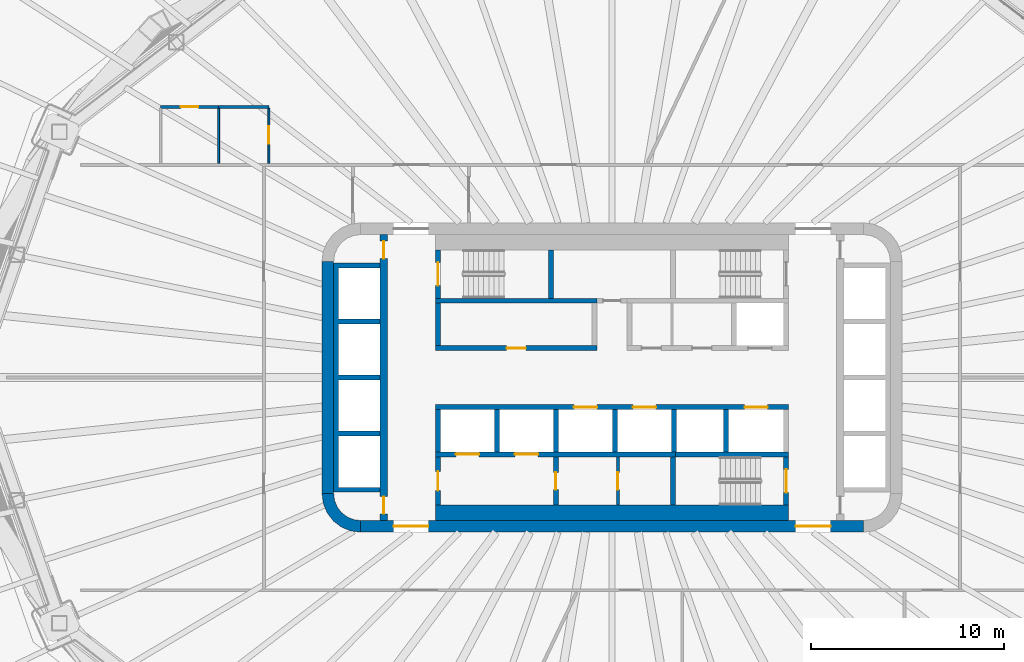
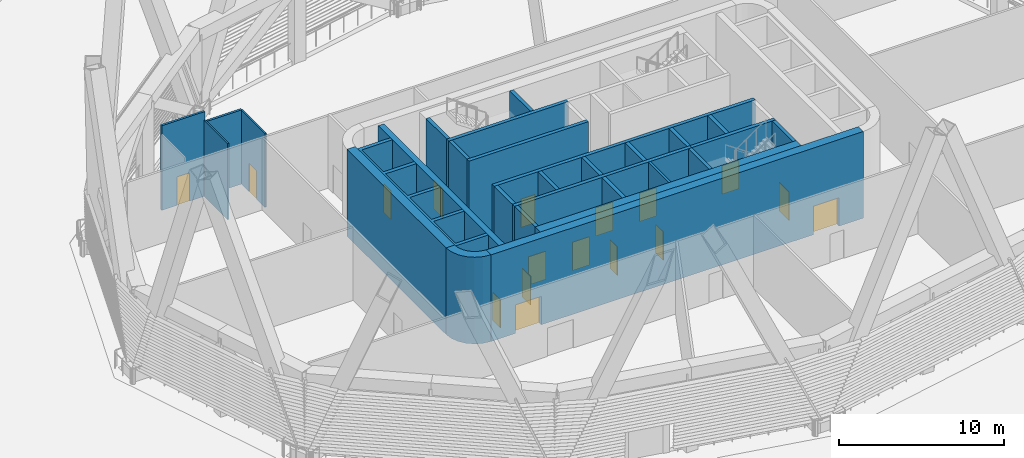
# One storey, part 9 of 27: 29 walls, 17 doors, 17 openings.
"""IFC4 building model written with IfcOpenShell, lengths in metres."""

from ifc_helpers import new_model, si_unit, direction, frame, frame_2d, origin, place, context, subcontext, project, spatial, polyline, rectangle, outline, extrude, material, layer, layer_set, type_object, element, fill, save


model = new_model("IFC4")

# Units and contexts
model_context = context("Model", 3, precision=1e-05, world=origin(), true_north=direction((0.0, 1.0)))
body_context = subcontext(model_context, "Body", "Model", "MODEL_VIEW")
ifc_project = project(units=[si_unit("LENGTHUNIT", "METRE"), si_unit("AREAUNIT", "SQUARE_METRE"), si_unit("VOLUMEUNIT", "CUBIC_METRE"), si_unit("PLANEANGLEUNIT", "RADIAN"), si_unit("MASSUNIT", "GRAM", prefix="KILO")], contexts=[model_context])

# Site, building, storey
site_placement = place(None, origin())
site = spatial("IfcSite", under=ifc_project, at=site_placement, CompositionType="ELEMENT")
building_placement = place(site_placement, origin())
building = spatial("IfcBuilding", under=site, at=building_placement, Name="Sahrelin Media Tower", CompositionType="ELEMENT")
storey_placement = place(building_placement, frame((0.0, 0.0, 44.0)))
storey = spatial("IfcBuildingStorey", under=building, at=storey_placement, Name="L06", CompositionType="ELEMENT", Elevation=44.0)

# Wall, openings, doors
ifc_material_1 = material(Name="Concrete C60/75", Category="concrete")
ifc_layer_1 = layer(ifc_material_1, 0.60009765625)
ifc_layer_set_1 = layer_set([ifc_layer_1], Name="Core wall 600")
wall_type_1 = type_object("IfcWallType", Name="Core wall 600", PredefinedType="SHEAR", material=ifc_layer_set_1)
wall_1_placement = place(storey_placement, frame((-13.0, -7.699951171875, 0.0), z_axis=(0.0, 0.0, 1.0), x_axis=(1.0, 0.0, 0.0)))
wall_1 = element("IfcWall", 1, at=wall_1_placement, inside=storey, type_object=wall_type_1, Name="Core wall S L06", PredefinedType="SHEAR", context=body_context, shape_type="SweptSolid", body=[
    extrude(rectangle(XDim=26.0, YDim=0.60009765625, at=frame_2d((13.0, 0.0))), origin(), (0.0, 0.0, 1.0), 6.39990234375),
])
opening_1_placement = place(wall_1_placement, frame((1.699951171875, 0.0, 0.0)))
opening_1 = element("IfcOpeningElement", 2, at=opening_1_placement, cuts=wall_1, Name="Opening L06-D17", PredefinedType="OPENING", context=body_context, shape_type="SweptSolid", body=[
    extrude(rectangle(XDim=1.800048828125, YDim=2.10009765625, at=frame_2d((0.89990234375, 1.050048828125))), frame((0.0, 0.300048828125, 0.0), z_axis=(0.0, -1.0, 0.0), x_axis=(1.0, 0.0, 0.0)), (0.0, 0.0, 1.0), 0.60009765625),
])
opening_2_placement = place(wall_1_placement, frame((22.5, 0.0, 0.0)))
opening_2 = element("IfcOpeningElement", 3, at=opening_2_placement, cuts=wall_1, Name="Opening L06-D18", PredefinedType="OPENING", context=body_context, shape_type="SweptSolid", body=[
    extrude(rectangle(XDim=1.800048828125, YDim=2.10009765625, at=frame_2d((0.89990234375, 1.050048828125))), frame((0.0, 0.300048828125, 0.0), z_axis=(0.0, -1.0, 0.0), x_axis=(1.0, 0.0, 0.0)), (0.0, 0.0, 1.0), 0.60009765625),
])
ifc_material_2 = material(Name="Steel fire door leaf", Category="steel")
door_type_1 = type_object("IfcDoorType", Name="Lobby double door 1800 x 2100 EI 60", OperationType="DOUBLE_DOOR_SINGLE_SWING", PredefinedType="DOOR", material=ifc_material_2)
door_1_placement = place(opening_1_placement, origin())
door_1 = element("IfcDoor", 4, at=door_1_placement, inside=storey, type_object=door_type_1, Name="Lobby door", OperationType="DOUBLE_DOOR_SINGLE_SWING", OverallHeight=2.10009765625, OverallWidth=1.800048828125, PredefinedType="DOOR", context=body_context, shape_type="SweptSolid", body=[
    extrude(rectangle(XDim=1.800048828125, YDim=2.10009765625, at=frame_2d((0.89990234375, 1.050048828125))), frame((0.0, 0.02490234375, 0.0), z_axis=(0.0, -1.0, 0.0), x_axis=(1.0, 0.0, 0.0)), (0.0, 0.0, 1.0), 0.050048828125),
])
fill(opening_1, door_1)
door_2_placement = place(opening_2_placement, origin())
door_2 = element("IfcDoor", 5, at=door_2_placement, inside=storey, type_object=door_type_1, Name="Lobby door", OperationType="DOUBLE_DOOR_SINGLE_SWING", OverallHeight=2.10009765625, OverallWidth=1.800048828125, PredefinedType="DOOR", context=body_context, shape_type="SweptSolid", body=[
    extrude(rectangle(XDim=1.800048828125, YDim=2.10009765625, at=frame_2d((0.89990234375, 1.050048828125))), frame((0.0, 0.02490234375, 0.0), z_axis=(0.0, -1.0, 0.0), x_axis=(1.0, 0.0, 0.0)), (0.0, 0.0, 1.0), 0.050048828125),
])
fill(opening_2, door_2)

# Walls
wall_2_placement = place(storey_placement, frame((-14.699951171875, -6.0, 0.0), z_axis=(0.0, 0.0, 1.0), x_axis=(0.0, 1.0, 0.0)))
element("IfcWall", 6, at=wall_2_placement, inside=storey, type_object=wall_type_1, Name="Core wall W L06", PredefinedType="SHEAR", context=body_context, shape_type="SweptSolid", body=[
    extrude(rectangle(XDim=12.0, YDim=0.60009765625, at=frame_2d((6.0, 0.0))), origin(), (0.0, 0.0, 1.0), 6.39990234375),
])
placement = place(storey_placement, origin())
element("IfcWall", 7, at=placement, inside=storey, type_object=wall_type_1, Name="Core wall corner SW L06", PredefinedType="SHEAR", context=body_context, shape_type="SweptSolid", body=[
    extrude(outline(polyline([(-13.0, -8.0), (-13.0, -7.394775390625), (-13.361083984375, -7.347412109375), (-13.697509765625, -7.2080078125), (-13.986328125, -6.986328125), (-14.2080078125, -6.697509765625), (-14.347412109375, -6.361083984375), (-14.394775390625, -6.0), (-15.0, -6.0), (-14.931884765625, -6.517578125), (-14.732177734375, -7.0), (-14.414306640625, -7.414306640625), (-14.0, -7.732177734375), (-13.517578125, -7.931884765625), (-13.0, -8.0)])), origin(), (0.0, 0.0, 1.0), 6.39990234375),
])

# Wall, opening, door
ifc_material_3 = material(Name="Fire-rated gypsum board partition")
ifc_layer_2 = layer(ifc_material_3, 0.25)
ifc_layer_set_2 = layer_set([ifc_layer_2], Name="Fire-rated lobby wall 250")
wall_type_2 = type_object("IfcWallType", Name="Fire-rated lobby wall 250", PredefinedType="PARTITIONING", material=ifc_layer_set_2)
wall_4_placement = place(storey_placement, frame((-9.125, 1.52490234375, 0.0), z_axis=(0.0, 0.0, 1.0), x_axis=(1.0, 0.0, 0.0)))
wall_4 = element("IfcWall", 8, at=wall_4_placement, inside=storey, type_object=wall_type_2, Name="Core lobby wall", PredefinedType="PARTITIONING", context=body_context, shape_type="SweptSolid", body=[
    extrude(rectangle(XDim=8.35009765625, YDim=0.25, at=frame_2d((4.175048828125, 0.0))), origin(), (0.0, 0.0, 1.0), 6.25),
])
opening_3_placement = place(wall_4_placement, frame((3.675048828125, 0.0, 0.0)))
opening_3 = element("IfcOpeningElement", 9, at=opening_3_placement, cuts=wall_4, Name="Opening L06-D08", PredefinedType="OPENING", context=body_context, shape_type="SweptSolid", body=[
    extrude(rectangle(XDim=1.0, YDim=2.10009765625, at=frame_2d((0.5, 1.050048828125))), frame((0.0, 0.125, 0.0), z_axis=(0.0, -1.0, 0.0), x_axis=(1.0, 0.0, 0.0)), (0.0, 0.0, 1.0), 0.25),
])
door_type_2 = type_object("IfcDoorType", Name="Fire door 1000 x 2100 EI 60", OperationType="NOTDEFINED", PredefinedType="DOOR", material=ifc_material_2)
door_3_placement = place(opening_3_placement, origin())
door_3 = element("IfcDoor", 10, at=door_3_placement, inside=storey, type_object=door_type_2, Name="Core room door", OperationType="SINGLE_SWING_LEFT", OverallHeight=2.10009765625, OverallWidth=1.0, PredefinedType="DOOR", context=body_context, shape_type="SweptSolid", body=[
    extrude(rectangle(XDim=1.0, YDim=2.10009765625, at=frame_2d((0.5, 1.050048828125))), frame((0.0, 0.02490234375, 0.0), z_axis=(0.0, -1.0, 0.0), x_axis=(1.0, 0.0, 0.0)), (0.0, 0.0, 1.0), 0.050048828125),
])
fill(opening_3, door_3)

# Wall
wall_5_placement = place(storey_placement, frame((-9.0, 1.64990234375, 0.0), z_axis=(0.0, 0.0, 1.0), x_axis=(0.0, 1.0, 0.0)))
element("IfcWall", 11, at=wall_5_placement, inside=storey, type_object=wall_type_2, Name="Core lobby wall", PredefinedType="PARTITIONING", context=body_context, shape_type="SweptSolid", body=[
    extrude(rectangle(XDim=2.2001953125, YDim=0.25, at=frame_2d((1.10009765625, 0.0))), origin(), (0.0, 0.0, 1.0), 6.25),
])

# Wall, opening, door
ifc_layer_3 = layer(ifc_material_3, 0.14990234375)
ifc_layer_set_3 = layer_set([ifc_layer_3], Name="Fire-rated partition 150")
wall_type_3 = type_object("IfcWallType", Name="Fire-rated partition 150", PredefinedType="PARTITIONING", material=ifc_layer_set_3)
wall_6_placement = place(storey_placement, frame((0.300048828125, -6.60009765625, 0.0), z_axis=(0.0, 0.0, 1.0), x_axis=(0.0, 1.0, 0.0)))
wall_6 = element("IfcWall", 12, at=wall_6_placement, inside=storey, type_object=wall_type_3, Name="Core room fire partition", PredefinedType="PARTITIONING", context=body_context, shape_type="SweptSolid", body=[
    extrude(rectangle(XDim=2.5, YDim=0.14990234375, at=frame_2d((1.25, 0.0))), origin(), (0.0, 0.0, 1.0), 6.25),
])
opening_4_placement = place(wall_6_placement, frame((0.800048828125, 0.0, 0.0)))
opening_4 = element("IfcOpeningElement", 13, at=opening_4_placement, cuts=wall_6, Name="Opening L06-D07", PredefinedType="OPENING", context=body_context, shape_type="SweptSolid", body=[
    extrude(rectangle(XDim=0.89990234375, YDim=2.10009765625, at=frame_2d((0.449951171875, 1.050048828125))), frame((0.0, 0.074951171875, 0.0), z_axis=(0.0, -1.0, 0.0), x_axis=(1.0, 0.0, 0.0)), (0.0, 0.0, 1.0), 0.14990234375),
])
door_type_3 = type_object("IfcDoorType", Name="Fire door 900 x 2100 EI 60", OperationType="NOTDEFINED", PredefinedType="DOOR", material=ifc_material_2)
door_4_placement = place(opening_4_placement, origin())
door_4 = element("IfcDoor", 14, at=door_4_placement, inside=storey, type_object=door_type_3, Name="Core room door", OperationType="SINGLE_SWING_RIGHT", OverallHeight=2.10009765625, OverallWidth=0.89990234375, PredefinedType="DOOR", context=body_context, shape_type="SweptSolid", body=[
    extrude(rectangle(XDim=0.89990234375, YDim=2.10009765625, at=frame_2d((0.449951171875, 1.050048828125))), frame((0.0, 0.02490234375, 0.0), z_axis=(0.0, -1.0, 0.0), x_axis=(1.0, 0.0, 0.0)), (0.0, 0.0, 1.0), 0.050048828125),
])
fill(opening_4, door_4)

wall_7_placement = place(storey_placement, frame((-23.346923828125, 14.0, 0.0), z_axis=(0.0, 0.0, 1.0), x_axis=(1.0, 0.0, 0.0)))
wall_7 = element("IfcWall", 15, at=wall_7_placement, inside=storey, type_object=wall_type_3, Name="Wall", PredefinedType="PARTITIONING", context=body_context, shape_type="SweptSolid", body=[
    extrude(rectangle(XDim=3.0, YDim=0.14990234375, at=frame_2d((1.5, 0.0))), origin(), (0.0, 0.0, 1.0), 6.25),
])
opening_5_placement = place(wall_7_placement, frame((1.050048828125, 0.0, 0.0)))
opening_5 = element("IfcOpeningElement", 16, at=opening_5_placement, cuts=wall_7, Name="Opening L06-D30", PredefinedType="OPENING", context=body_context, shape_type="SweptSolid", body=[
    extrude(rectangle(XDim=0.89990234375, YDim=2.10009765625, at=frame_2d((0.449951171875, 1.050048828125))), frame((0.0, 0.074951171875, 0.0), z_axis=(0.0, -1.0, 0.0), x_axis=(1.0, 0.0, 0.0)), (0.0, 0.0, 1.0), 0.14990234375),
])
ifc_material_4 = material(Name="Timber door leaf", Category="wood")
door_type_4 = type_object("IfcDoorType", Name="Single door 900 x 2100", OperationType="NOTDEFINED", PredefinedType="DOOR", material=ifc_material_4)
door_5_placement = place(opening_5_placement, origin())
door_5 = element("IfcDoor", 17, at=door_5_placement, inside=storey, type_object=door_type_4, Name="Single door", OperationType="SINGLE_SWING_RIGHT", OverallHeight=2.10009765625, OverallWidth=0.89990234375, PredefinedType="DOOR", context=body_context, shape_type="SweptSolid", body=[
    extrude(rectangle(XDim=0.89990234375, YDim=2.10009765625, at=frame_2d((0.449951171875, 1.050048828125))), frame((0.0, 0.02490234375, 0.0), z_axis=(0.0, -1.0, 0.0), x_axis=(1.0, 0.0, 0.0)), (0.0, 0.0, 1.0), 0.050048828125),
])
fill(opening_5, door_5)

# Wall
wall_8_placement = place(storey_placement, frame((-20.346923828125, 14.0, 0.0), z_axis=(0.0, 0.0, 1.0), x_axis=(1.0, 0.0, 0.0)))
element("IfcWall", 18, at=wall_8_placement, inside=storey, type_object=wall_type_3, Name="Wall", PredefinedType="PARTITIONING", context=body_context, shape_type="SweptSolid", body=[
    extrude(rectangle(XDim=2.60009765625, YDim=0.14990234375, at=frame_2d((1.300048828125, 0.0))), origin(), (0.0, 0.0, 1.0), 5.47607421875),
])

# Wall, opening, door
ifc_layer_4 = layer(ifc_material_3, 0.25)
ifc_layer_set_4 = layer_set([ifc_layer_4], Name="Firefighting lobby wall 250")
wall_type_4 = type_object("IfcWallType", Name="Firefighting lobby wall 250", PredefinedType="PARTITIONING", material=ifc_layer_set_4)
wall_9_placement = place(storey_placement, frame((-9.0, -6.60009765625, 0.0), z_axis=(0.0, 0.0, 1.0), x_axis=(0.0, 1.0, 0.0)))
wall_9 = element("IfcWall", 19, at=wall_9_placement, inside=storey, type_object=wall_type_4, Name="Core wall", PredefinedType="PARTITIONING", context=body_context, shape_type="SweptSolid", body=[
    extrude(rectangle(XDim=2.5, YDim=0.25, at=frame_2d((1.25, 0.0))), origin(), (0.0, 0.0, 1.0), 6.25),
])
opening_6_placement = place(wall_9_placement, frame((0.75, 0.0, 0.0)))
opening_6 = element("IfcOpeningElement", 20, at=opening_6_placement, cuts=wall_9, Name="Opening L06-D04", PredefinedType="OPENING", context=body_context, shape_type="SweptSolid", body=[
    extrude(rectangle(XDim=1.0, YDim=2.10009765625, at=frame_2d((0.5, 1.050048828125))), frame((0.0, 0.125, 0.0), z_axis=(0.0, -1.0, 0.0), x_axis=(1.0, 0.0, 0.0)), (0.0, 0.0, 1.0), 0.25),
])
door_type_5 = type_object("IfcDoorType", Name="Firefighting lobby door 1000 x 2100 EI 120", OperationType="NOTDEFINED", PredefinedType="DOOR", material=ifc_material_2)
door_6_placement = place(opening_6_placement, origin())
door_6 = element("IfcDoor", 21, at=door_6_placement, inside=storey, type_object=door_type_5, Name="Firefighting lobby door", OperationType="SINGLE_SWING_LEFT", OverallHeight=2.10009765625, OverallWidth=1.0, PredefinedType="DOOR", context=body_context, shape_type="SweptSolid", body=[
    extrude(rectangle(XDim=1.0, YDim=2.10009765625, at=frame_2d((0.5, 1.050048828125))), frame((0.0, 0.02490234375, 0.0), z_axis=(0.0, -1.0, 0.0), x_axis=(1.0, 0.0, 0.0)), (0.0, 0.0, 1.0), 0.050048828125),
])
fill(opening_6, door_6)

wall_10_placement = place(storey_placement, frame((-2.89990234375, -6.60009765625, 0.0), z_axis=(0.0, 0.0, 1.0), x_axis=(0.0, 1.0, 0.0)))
wall_10 = element("IfcWall", 22, at=wall_10_placement, inside=storey, type_object=wall_type_4, Name="Core wall", PredefinedType="PARTITIONING", context=body_context, shape_type="SweptSolid", body=[
    extrude(rectangle(XDim=2.5, YDim=0.25, at=frame_2d((1.25, 0.0))), origin(), (0.0, 0.0, 1.0), 6.25),
])
opening_7_placement = place(wall_10_placement, frame((0.800048828125, 0.0, 0.0)))
opening_7 = element("IfcOpeningElement", 23, at=opening_7_placement, cuts=wall_10, Name="Opening L06-D05", PredefinedType="OPENING", context=body_context, shape_type="SweptSolid", body=[
    extrude(rectangle(XDim=0.89990234375, YDim=2.10009765625, at=frame_2d((0.449951171875, 1.050048828125))), frame((0.0, 0.125, 0.0), z_axis=(0.0, -1.0, 0.0), x_axis=(1.0, 0.0, 0.0)), (0.0, 0.0, 1.0), 0.25),
])
door_type_6 = type_object("IfcDoorType", Name="Firefighting lobby door 900 x 2100 EI 120", OperationType="NOTDEFINED", PredefinedType="DOOR", material=ifc_material_2)
door_7_placement = place(opening_7_placement, origin())
door_7 = element("IfcDoor", 24, at=door_7_placement, inside=storey, type_object=door_type_6, Name="Riser door", OperationType="SINGLE_SWING_RIGHT", OverallHeight=2.10009765625, OverallWidth=0.89990234375, PredefinedType="DOOR", context=body_context, shape_type="SweptSolid", body=[
    extrude(rectangle(XDim=0.89990234375, YDim=2.10009765625, at=frame_2d((0.449951171875, 1.050048828125))), frame((0.0, 0.02490234375, 0.0), z_axis=(0.0, -1.0, 0.0), x_axis=(1.0, 0.0, 0.0)), (0.0, 0.0, 1.0), 0.050048828125),
])
fill(opening_7, door_7)

# Wall, openings, doors
ifc_layer_5 = layer(ifc_material_1, 0.25)
ifc_layer_set_5 = layer_set([ifc_layer_5], Name="Lift shaft wall 250")
wall_type_5 = type_object("IfcWallType", Name="Lift shaft wall 250", PredefinedType="SOLIDWALL", material=ifc_layer_set_5)
wall_11_placement = place(storey_placement, frame((-9.125, -1.52490234375, 0.0), z_axis=(0.0, 0.0, 1.0), x_axis=(1.0, 0.0, 0.0)))
wall_11 = element("IfcWall", 25, at=wall_11_placement, inside=storey, type_object=wall_type_5, Name="Lift shaft wall", PredefinedType="SOLIDWALL", context=body_context, shape_type="SweptSolid", body=[
    extrude(rectangle(XDim=18.25, YDim=0.25, at=frame_2d((9.125, 0.0))), origin(), (0.0, 0.0, 1.0), 6.25),
])
opening_8_placement = place(wall_11_placement, frame((7.14990234375, 0.0, 0.0)))
opening_8 = element("IfcOpeningElement", 26, at=opening_8_placement, cuts=wall_11, Name="Opening L06-LD-SV1", PredefinedType="OPENING", context=body_context, shape_type="SweptSolid", body=[
    extrude(rectangle(XDim=1.199951171875, YDim=2.10009765625, at=frame_2d((0.60009765625, 1.050048828125))), frame((0.0, 0.125, 0.0), z_axis=(0.0, -1.0, 0.0), x_axis=(1.0, 0.0, 0.0)), (0.0, 0.0, 1.0), 0.25),
])
opening_9_placement = place(wall_11_placement, frame((10.199951171875, 0.0, 0.0)))
opening_9 = element("IfcOpeningElement", 27, at=opening_9_placement, cuts=wall_11, Name="Opening L06-LD-SV2", PredefinedType="OPENING", context=body_context, shape_type="SweptSolid", body=[
    extrude(rectangle(XDim=1.199951171875, YDim=2.10009765625, at=frame_2d((0.60009765625, 1.050048828125))), frame((0.0, 0.125, 0.0), z_axis=(0.0, -1.0, 0.0), x_axis=(1.0, 0.0, 0.0)), (0.0, 0.0, 1.0), 0.25),
])
opening_10_placement = place(wall_11_placement, frame((15.97509765625, 0.0, 0.0)))
opening_10 = element("IfcOpeningElement", 28, at=opening_10_placement, cuts=wall_11, Name="Opening L06-LD-PR1", PredefinedType="OPENING", context=body_context, shape_type="SweptSolid", body=[
    extrude(rectangle(XDim=1.199951171875, YDim=2.10009765625, at=frame_2d((0.60009765625, 1.050048828125))), frame((0.0, 0.125, 0.0), z_axis=(0.0, -1.0, 0.0), x_axis=(1.0, 0.0, 0.0)), (0.0, 0.0, 1.0), 0.25),
])
ifc_material_5 = material(Name="Stainless steel", Category="steel")
door_type_7 = type_object("IfcDoorType", Name="Lift landing door 1200 x 2100 EI 120", OperationType="DOUBLE_DOOR_SLIDING", PredefinedType="DOOR", material=ifc_material_5)
door_8_placement = place(opening_8_placement, origin())
door_8 = element("IfcDoor", 29, at=door_8_placement, inside=storey, type_object=door_type_7, Name="Lift landing door SV1", OperationType="DOUBLE_DOOR_SLIDING", OverallHeight=2.10009765625, OverallWidth=1.199951171875, PredefinedType="DOOR", context=body_context, shape_type="SweptSolid", body=[
    extrude(rectangle(XDim=1.199951171875, YDim=2.10009765625, at=frame_2d((0.60009765625, 1.050048828125))), frame((0.0, 0.02490234375, 0.0), z_axis=(0.0, -1.0, 0.0), x_axis=(1.0, 0.0, 0.0)), (0.0, 0.0, 1.0), 0.050048828125),
])
fill(opening_8, door_8)
door_9_placement = place(opening_9_placement, origin())
door_9 = element("IfcDoor", 30, at=door_9_placement, inside=storey, type_object=door_type_7, Name="Lift landing door SV2", OperationType="DOUBLE_DOOR_SLIDING", OverallHeight=2.10009765625, OverallWidth=1.199951171875, PredefinedType="DOOR", context=body_context, shape_type="SweptSolid", body=[
    extrude(rectangle(XDim=1.199951171875, YDim=2.10009765625, at=frame_2d((0.60009765625, 1.050048828125))), frame((0.0, 0.02490234375, 0.0), z_axis=(0.0, -1.0, 0.0), x_axis=(1.0, 0.0, 0.0)), (0.0, 0.0, 1.0), 0.050048828125),
])
fill(opening_9, door_9)
door_10_placement = place(opening_10_placement, origin())
door_10 = element("IfcDoor", 31, at=door_10_placement, inside=storey, type_object=door_type_7, Name="Lift landing door PR1", OperationType="DOUBLE_DOOR_SLIDING", OverallHeight=2.10009765625, OverallWidth=1.199951171875, PredefinedType="DOOR", context=body_context, shape_type="SweptSolid", body=[
    extrude(rectangle(XDim=1.199951171875, YDim=2.10009765625, at=frame_2d((0.60009765625, 1.050048828125))), frame((0.0, 0.02490234375, 0.0), z_axis=(0.0, -1.0, 0.0), x_axis=(1.0, 0.0, 0.0)), (0.0, 0.0, 1.0), 0.050048828125),
])
fill(opening_10, door_10)

wall_12_placement = place(storey_placement, frame((-9.125, -3.97509765625, 0.0), z_axis=(0.0, 0.0, 1.0), x_axis=(1.0, 0.0, 0.0)))
wall_12 = element("IfcWall", 32, at=wall_12_placement, inside=storey, type_object=wall_type_5, Name="Lift shaft wall", PredefinedType="SOLIDWALL", context=body_context, shape_type="SweptSolid", body=[
    extrude(rectangle(XDim=12.39990234375, YDim=0.25, at=frame_2d((6.199951171875, 0.0))), origin(), (0.0, 0.0, 1.0), 6.25),
])
opening_11_placement = place(wall_12_placement, frame((1.050048828125, 0.0, 0.0)))
opening_11 = element("IfcOpeningElement", 33, at=opening_11_placement, cuts=wall_12, Name="Opening L06-LD-FF1", PredefinedType="OPENING", context=body_context, shape_type="SweptSolid", body=[
    extrude(rectangle(XDim=1.199951171875, YDim=2.10009765625, at=frame_2d((0.60009765625, 1.050048828125))), frame((0.0, 0.125, 0.0), z_axis=(0.0, -1.0, 0.0), x_axis=(1.0, 0.0, 0.0)), (0.0, 0.0, 1.0), 0.25),
])
opening_12_placement = place(wall_12_placement, frame((4.10009765625, 0.0, 0.0)))
opening_12 = element("IfcOpeningElement", 34, at=opening_12_placement, cuts=wall_12, Name="Opening L06-LD-FF2", PredefinedType="OPENING", context=body_context, shape_type="SweptSolid", body=[
    extrude(rectangle(XDim=1.199951171875, YDim=2.10009765625, at=frame_2d((0.60009765625, 1.050048828125))), frame((0.0, 0.125, 0.0), z_axis=(0.0, -1.0, 0.0), x_axis=(1.0, 0.0, 0.0)), (0.0, 0.0, 1.0), 0.25),
])
door_11_placement = place(opening_11_placement, origin())
door_11 = element("IfcDoor", 35, at=door_11_placement, inside=storey, type_object=door_type_7, Name="Lift landing door FF1", OperationType="DOUBLE_DOOR_SLIDING", OverallHeight=2.10009765625, OverallWidth=1.199951171875, PredefinedType="DOOR", context=body_context, shape_type="SweptSolid", body=[
    extrude(rectangle(XDim=1.199951171875, YDim=2.10009765625, at=frame_2d((0.60009765625, 1.050048828125))), frame((0.0, 0.02490234375, 0.0), z_axis=(0.0, -1.0, 0.0), x_axis=(1.0, 0.0, 0.0)), (0.0, 0.0, 1.0), 0.050048828125),
])
fill(opening_11, door_11)
door_12_placement = place(opening_12_placement, origin())
door_12 = element("IfcDoor", 36, at=door_12_placement, inside=storey, type_object=door_type_7, Name="Lift landing door FF2", OperationType="DOUBLE_DOOR_SLIDING", OverallHeight=2.10009765625, OverallWidth=1.199951171875, PredefinedType="DOOR", context=body_context, shape_type="SweptSolid", body=[
    extrude(rectangle(XDim=1.199951171875, YDim=2.10009765625, at=frame_2d((0.60009765625, 1.050048828125))), frame((0.0, 0.02490234375, 0.0), z_axis=(0.0, -1.0, 0.0), x_axis=(1.0, 0.0, 0.0)), (0.0, 0.0, 1.0), 0.050048828125),
])
fill(opening_12, door_12)

# Walls
wall_13_placement = place(storey_placement, frame((3.27490234375, -3.97509765625, 0.0), z_axis=(0.0, 0.0, 1.0), x_axis=(1.0, 0.0, 0.0)))
element("IfcWall", 37, at=wall_13_placement, inside=storey, type_object=wall_type_5, Name="Lift shaft wall", PredefinedType="SOLIDWALL", context=body_context, shape_type="SweptSolid", body=[
    extrude(rectangle(XDim=5.85009765625, YDim=0.25, at=frame_2d((2.925048828125, 0.0))), origin(), (0.0, 0.0, 1.0), 6.25),
])
for number, where, z_axis, x_axis, name in (
    (38, (-9.0, -3.85009765625, 0.0), (0.0, 0.0, 1.0), (0.0, 1.0, 0.0), "Lift shaft wall"),
    (39, (-5.949951171875, -3.85009765625, 0.0), (0.0, 0.0, 1.0), (0.0, 1.0, 0.0), "Lift shaft wall"),
    (40, (-2.89990234375, -3.85009765625, 0.0), (0.0, 0.0, 1.0), (0.0, 1.0, 0.0), "Lift shaft wall"),
    (41, (0.14990234375, -3.85009765625, 0.0), (0.0, 0.0, 1.0), (0.0, 1.0, 0.0), "Lift shaft wall"),
    (42, (3.199951171875, -3.85009765625, 0.0), (0.0, 0.0, 1.0), (0.0, 1.0, 0.0), "Lift shaft wall"),
    (43, (5.89990234375, -3.85009765625, 0.0), (0.0, 0.0, 1.0), (0.0, 1.0, 0.0), "Lift shaft wall"),
):
    element("IfcWall", number, at=place(storey_placement, frame(where, z_axis=z_axis, x_axis=x_axis)), inside=storey, type_object=wall_type_5, Name=name, PredefinedType="SOLIDWALL", context=body_context, shape_type="SweptSolid", body=[
        extrude(rectangle(XDim=2.2001953125, YDim=0.25, at=frame_2d((1.10009765625, 0.0))), origin(), (0.0, 0.0, 1.0), 6.25),
    ])
element("IfcWall", 44, at=placement, inside=storey, type_object=wall_type_5, Name="Lift shaft wall", PredefinedType="SOLIDWALL", context=body_context, shape_type="SweptSolid", body=[
    extrude(outline(polyline([(-12.0, -5.925048828125), (-12.0, -5.675048828125), (-14.14990234375, -5.675048828125), (-14.14990234375, -3.02490234375), (-12.0, -3.02490234375), (-12.0, -2.77490234375), (-14.14990234375, -2.77490234375), (-14.14990234375, -0.125), (-12.0, -0.125), (-12.0, 0.125), (-14.14990234375, 0.125), (-14.14990234375, 2.77490234375), (-12.0, 2.77490234375), (-12.0, 3.02490234375), (-14.14990234375, 3.02490234375), (-14.14990234375, 5.675048828125), (-12.0, 5.675048828125), (-12.0, 5.925048828125), (-14.14990234375, 5.925048828125), (-14.39990234375, 5.925048828125), (-14.39990234375, 5.675048828125), (-14.39990234375, 3.02490234375), (-14.39990234375, 2.77490234375), (-14.39990234375, 0.125), (-14.39990234375, -0.125), (-14.39990234375, -2.77490234375), (-14.39990234375, -3.02490234375), (-14.39990234375, -5.675048828125), (-14.39990234375, -5.925048828125), (-14.14990234375, -5.925048828125), (-12.0, -5.925048828125)])), origin(), (0.0, 0.0, 1.0), 6.25),
])

# Wall, openings, doors
ifc_layer_6 = layer(ifc_material_1, 0.39990234375)
ifc_layer_set_6 = layer_set([ifc_layer_6], Name="Lift shaft wall 400")
wall_type_6 = type_object("IfcWallType", Name="Lift shaft wall 400", PredefinedType="SOLIDWALL", material=ifc_layer_set_6)
wall_15_placement = place(storey_placement, frame((-11.800048828125, -7.39990234375, 0.0), z_axis=(0.0, 0.0, 1.0), x_axis=(0.0, 1.0, 0.0)))
wall_15 = element("IfcWall", 45, at=wall_15_placement, inside=storey, type_object=wall_type_6, Name="Lift shaft wall", PredefinedType="SOLIDWALL", context=body_context, shape_type="SweptSolid", body=[
    extrude(rectangle(XDim=14.7998046875, YDim=0.39990234375, at=frame_2d((7.39990234375, 0.0))), origin(), (0.0, 0.0, 1.0), 6.25),
])
opening_13_placement = place(wall_15_placement, frame((13.552490234375, 0.0, 0.0)))
opening_13 = element("IfcOpeningElement", 46, at=opening_13_placement, cuts=wall_15, Name="Opening L06-D11", PredefinedType="OPENING", context=body_context, shape_type="SweptSolid", body=[
    extrude(rectangle(XDim=0.89990234375, YDim=2.10009765625, at=frame_2d((0.449951171875, 1.050048828125))), frame((0.0, 0.199951171875, 0.0), z_axis=(0.0, -1.0, 0.0), x_axis=(1.0, 0.0, 0.0)), (0.0, 0.0, 1.0), 0.39990234375),
])
opening_14_placement = place(wall_15_placement, frame((0.347412109375, 0.0, 0.0)))
opening_14 = element("IfcOpeningElement", 47, at=opening_14_placement, cuts=wall_15, Name="Opening L06-D12", PredefinedType="OPENING", context=body_context, shape_type="SweptSolid", body=[
    extrude(rectangle(XDim=0.89990234375, YDim=2.10009765625, at=frame_2d((0.449951171875, 1.050048828125))), frame((0.0, 0.199951171875, 0.0), z_axis=(0.0, -1.0, 0.0), x_axis=(1.0, 0.0, 0.0)), (0.0, 0.0, 1.0), 0.39990234375),
])
door_type_8 = type_object("IfcDoorType", Name="Riser door 900 x 2100 EI 120", OperationType="NOTDEFINED", PredefinedType="DOOR", material=ifc_material_2)
door_13_placement = place(opening_13_placement, origin())
door_13 = element("IfcDoor", 48, at=door_13_placement, inside=storey, type_object=door_type_8, Name="Riser door", OperationType="SINGLE_SWING_LEFT", OverallHeight=2.10009765625, OverallWidth=0.89990234375, PredefinedType="DOOR", context=body_context, shape_type="SweptSolid", body=[
    extrude(rectangle(XDim=0.89990234375, YDim=2.10009765625, at=frame_2d((0.449951171875, 1.050048828125))), frame((0.0, 0.02490234375, 0.0), z_axis=(0.0, -1.0, 0.0), x_axis=(1.0, 0.0, 0.0)), (0.0, 0.0, 1.0), 0.050048828125),
])
fill(opening_13, door_13)
door_14_placement = place(opening_14_placement, origin())
door_14 = element("IfcDoor", 49, at=door_14_placement, inside=storey, type_object=door_type_8, Name="Riser door", OperationType="SINGLE_SWING_LEFT", OverallHeight=2.10009765625, OverallWidth=0.89990234375, PredefinedType="DOOR", context=body_context, shape_type="SweptSolid", body=[
    extrude(rectangle(XDim=0.89990234375, YDim=2.10009765625, at=frame_2d((0.449951171875, 1.050048828125))), frame((0.0, 0.02490234375, 0.0), z_axis=(0.0, -1.0, 0.0), x_axis=(1.0, 0.0, 0.0)), (0.0, 0.0, 1.0), 0.050048828125),
])
fill(opening_14, door_14)

# Wall
ifc_material_6 = material(Name="Gypsum board partition")
ifc_layer_7 = layer(ifc_material_6, 0.10009765625)
ifc_layer_set_7 = layer_set([ifc_layer_7], Name="Partition 100")
wall_type_7 = type_object("IfcWallType", Name="Partition 100", PredefinedType="PARTITIONING", material=ifc_layer_set_7)
wall_16_placement = place(storey_placement, frame((-20.346923828125, 11.074951171875, 0.0), z_axis=(0.0, 0.0, 1.0), x_axis=(0.0, 1.0, 0.0)))
element("IfcWall", 50, at=wall_16_placement, inside=storey, type_object=wall_type_7, Name="Wall", PredefinedType="PARTITIONING", context=body_context, shape_type="SweptSolid", body=[
    extrude(rectangle(XDim=2.85009765625, YDim=0.10009765625, at=frame_2d((1.425048828125, 0.0))), origin(), (0.0, 0.0, 1.0), 5.62744140625),
])

# Wall, opening, door
wall_17_placement = place(storey_placement, frame((-17.746826171875, 11.074951171875, 0.0), z_axis=(0.0, 0.0, 1.0), x_axis=(0.0, 1.0, 0.0)))
wall_17 = element("IfcWall", 51, at=wall_17_placement, inside=storey, type_object=wall_type_7, Name="Wall", PredefinedType="PARTITIONING", context=body_context, shape_type="SweptSolid", body=[
    extrude(rectangle(XDim=2.85009765625, YDim=0.10009765625, at=frame_2d((1.425048828125, 0.0))), origin(), (0.0, 0.0, 1.0), 5.47607421875),
])
opening_15_placement = place(wall_17_placement, frame((1.02490234375, 0.0, 0.0)))
opening_15 = element("IfcOpeningElement", 52, at=opening_15_placement, cuts=wall_17, Name="Opening L06-D31", PredefinedType="OPENING", context=body_context, shape_type="SweptSolid", body=[
    extrude(rectangle(XDim=0.89990234375, YDim=2.10009765625, at=frame_2d((0.449951171875, 1.050048828125))), frame((0.0, 0.050048828125, 0.0), z_axis=(0.0, -1.0, 0.0), x_axis=(1.0, 0.0, 0.0)), (0.0, 0.0, 1.0), 0.10009765625),
])
door_15_placement = place(opening_15_placement, origin())
door_15 = element("IfcDoor", 53, at=door_15_placement, inside=storey, type_object=door_type_4, Name="Single door", OperationType="SINGLE_SWING_RIGHT", OverallHeight=2.10009765625, OverallWidth=0.89990234375, PredefinedType="DOOR", context=body_context, shape_type="SweptSolid", body=[
    extrude(rectangle(XDim=0.89990234375, YDim=2.10009765625, at=frame_2d((0.449951171875, 1.050048828125))), frame((0.0, 0.02490234375, 0.0), z_axis=(0.0, -1.0, 0.0), x_axis=(1.0, 0.0, 0.0)), (0.0, 0.0, 1.0), 0.050048828125),
])
fill(opening_15, door_15)

ifc_layer_8 = layer(ifc_material_1, 0.25)
ifc_layer_set_8 = layer_set([ifc_layer_8], Name="Stair enclosure wall 250")
wall_type_8 = type_object("IfcWallType", Name="Stair enclosure wall 250", PredefinedType="SOLIDWALL", material=ifc_layer_set_8)
wall_18_placement = place(storey_placement, frame((-9.0, 4.10009765625, 0.0), z_axis=(0.0, 0.0, 1.0), x_axis=(0.0, 1.0, 0.0)))
wall_18 = element("IfcWall", 54, at=wall_18_placement, inside=storey, type_object=wall_type_8, Name="Stair enclosure wall", PredefinedType="SOLIDWALL", context=body_context, shape_type="SweptSolid", body=[
    extrude(rectangle(XDim=2.5, YDim=0.25, at=frame_2d((1.25, 0.0))), origin(), (0.0, 0.0, 1.0), 6.25),
])
opening_16_placement = place(wall_18_placement, frame((0.64990234375, 0.0, 0.0)))
opening_16 = element("IfcOpeningElement", 55, at=opening_16_placement, cuts=wall_18, Name="Opening L06-D01", PredefinedType="OPENING", context=body_context, shape_type="SweptSolid", body=[
    extrude(rectangle(XDim=1.199951171875, YDim=2.10009765625, at=frame_2d((0.60009765625, 1.050048828125))), frame((0.0, 0.125, 0.0), z_axis=(0.0, -1.0, 0.0), x_axis=(1.0, 0.0, 0.0)), (0.0, 0.0, 1.0), 0.25),
])
door_type_9 = type_object("IfcDoorType", Name="Stair door 1200 x 2100 EI 120", OperationType="NOTDEFINED", PredefinedType="DOOR", material=ifc_material_2)
door_16_placement = place(opening_16_placement, origin())
door_16 = element("IfcDoor", 56, at=door_16_placement, inside=storey, type_object=door_type_9, Name="Stair door ST1", OperationType="SINGLE_SWING_RIGHT", OverallHeight=2.10009765625, OverallWidth=1.199951171875, PredefinedType="DOOR", context=body_context, shape_type="SweptSolid", body=[
    extrude(rectangle(XDim=1.199951171875, YDim=2.10009765625, at=frame_2d((0.60009765625, 1.050048828125))), frame((0.0, 0.02490234375, 0.0), z_axis=(0.0, -1.0, 0.0), x_axis=(1.0, 0.0, 0.0)), (0.0, 0.0, 1.0), 0.050048828125),
])
fill(opening_16, door_16)

wall_19_placement = place(storey_placement, frame((9.0, -6.60009765625, 0.0), z_axis=(0.0, 0.0, 1.0), x_axis=(0.0, 1.0, 0.0)))
wall_19 = element("IfcWall", 57, at=wall_19_placement, inside=storey, type_object=wall_type_8, Name="Stair enclosure wall", PredefinedType="SOLIDWALL", context=body_context, shape_type="SweptSolid", body=[
    extrude(rectangle(XDim=2.5, YDim=0.25, at=frame_2d((1.25, 0.0))), origin(), (0.0, 0.0, 1.0), 6.25),
])
opening_17_placement = place(wall_19_placement, frame((0.64990234375, 0.0, 0.0)))
opening_17 = element("IfcOpeningElement", 58, at=opening_17_placement, cuts=wall_19, Name="Opening L06-D03", PredefinedType="OPENING", context=body_context, shape_type="SweptSolid", body=[
    extrude(rectangle(XDim=1.199951171875, YDim=2.10009765625, at=frame_2d((0.60009765625, 1.050048828125))), frame((0.0, 0.125, 0.0), z_axis=(0.0, -1.0, 0.0), x_axis=(1.0, 0.0, 0.0)), (0.0, 0.0, 1.0), 0.25),
])
door_17_placement = place(opening_17_placement, origin())
door_17 = element("IfcDoor", 59, at=door_17_placement, inside=storey, type_object=door_type_9, Name="Stair door ST2", OperationType="SINGLE_SWING_LEFT", OverallHeight=2.10009765625, OverallWidth=1.199951171875, PredefinedType="DOOR", context=body_context, shape_type="SweptSolid", body=[
    extrude(rectangle(XDim=1.199951171875, YDim=2.10009765625, at=frame_2d((0.60009765625, 1.050048828125))), frame((0.0, 0.02490234375, 0.0), z_axis=(0.0, -1.0, 0.0), x_axis=(1.0, 0.0, 0.0)), (0.0, 0.0, 1.0), 0.050048828125),
])
fill(opening_17, door_17)

# Walls
for number, where, z_axis, x_axis, name in (
    (60, (-3.14990234375, 4.10009765625, 0.0), (0.0, 0.0, 1.0), (0.0, 1.0, 0.0), "Stair enclosure wall"),
    (61, (3.14990234375, -6.60009765625, 0.0), (0.0, 0.0, 1.0), (0.0, 1.0, 0.0), "Stair enclosure wall"),
):
    element("IfcWall", number, at=place(storey_placement, frame(where, z_axis=z_axis, x_axis=x_axis)), inside=storey, type_object=wall_type_8, Name=name, PredefinedType="SOLIDWALL", context=body_context, shape_type="SweptSolid", body=[
        extrude(rectangle(XDim=2.5, YDim=0.25, at=frame_2d((1.25, 0.0))), origin(), (0.0, 0.0, 1.0), 6.25),
    ])
wall_20_placement = place(storey_placement, frame((-9.125, 3.97509765625, 0.0), z_axis=(0.0, 0.0, 1.0), x_axis=(1.0, 0.0, 0.0)))
element("IfcWall", 62, at=wall_20_placement, inside=storey, type_object=wall_type_8, Name="Stair enclosure wall", PredefinedType="SOLIDWALL", context=body_context, shape_type="SweptSolid", body=[
    extrude(rectangle(XDim=8.35009765625, YDim=0.25, at=frame_2d((4.175048828125, 0.0))), origin(), (0.0, 0.0, 1.0), 6.25),
])
ifc_layer_9 = layer(ifc_material_1, 0.800048828125)
ifc_layer_set_9 = layer_set([ifc_layer_9], Name="Stair enclosure wall 800")
wall_type_9 = type_object("IfcWallType", Name="Stair enclosure wall 800", PredefinedType="SOLIDWALL", material=ifc_layer_set_9)
wall_21_placement = place(storey_placement, frame((-9.125, -7.0, 0.0), z_axis=(0.0, 0.0, 1.0), x_axis=(1.0, 0.0, 0.0)))
element("IfcWall", 63, at=wall_21_placement, inside=storey, type_object=wall_type_9, Name="Stair enclosure wall", PredefinedType="SOLIDWALL", context=body_context, shape_type="SweptSolid", body=[
    extrude(rectangle(XDim=18.25, YDim=0.800048828125, at=frame_2d((9.125, 0.0))), origin(), (0.0, 0.0, 1.0), 6.25),
])

save(model, "model.ifc")
